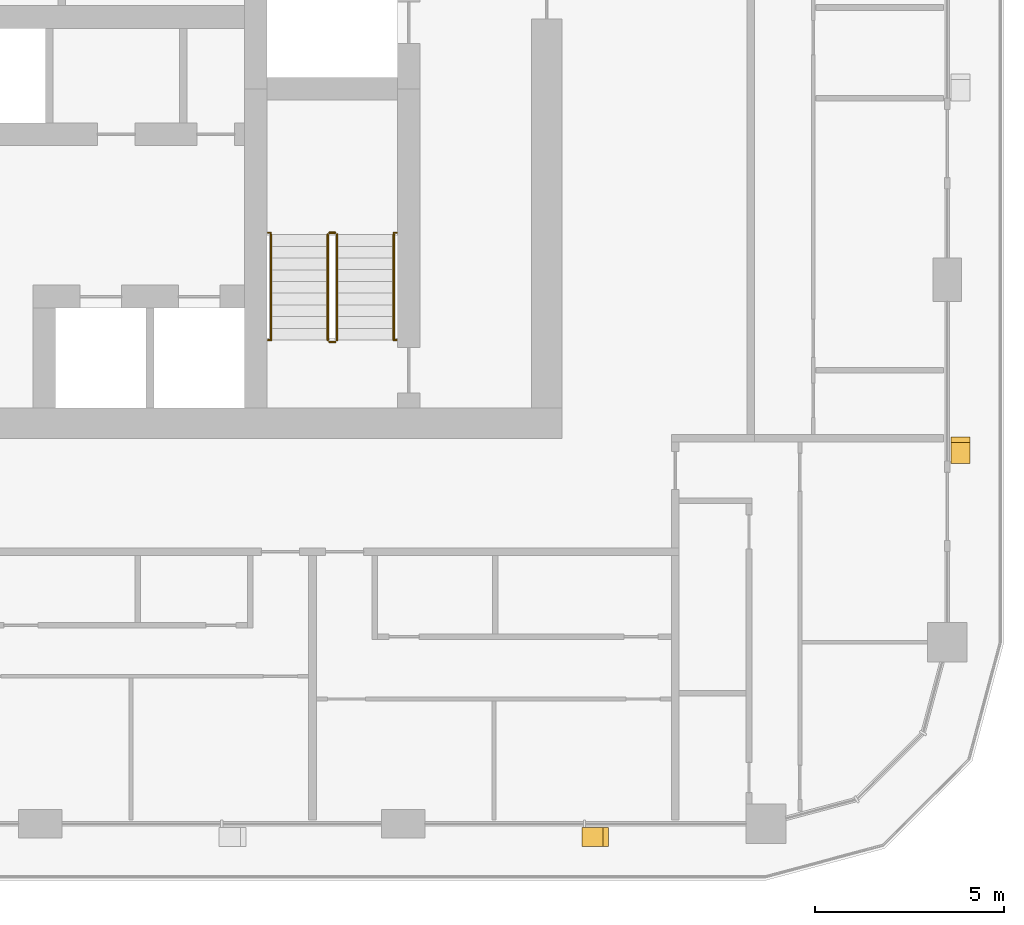
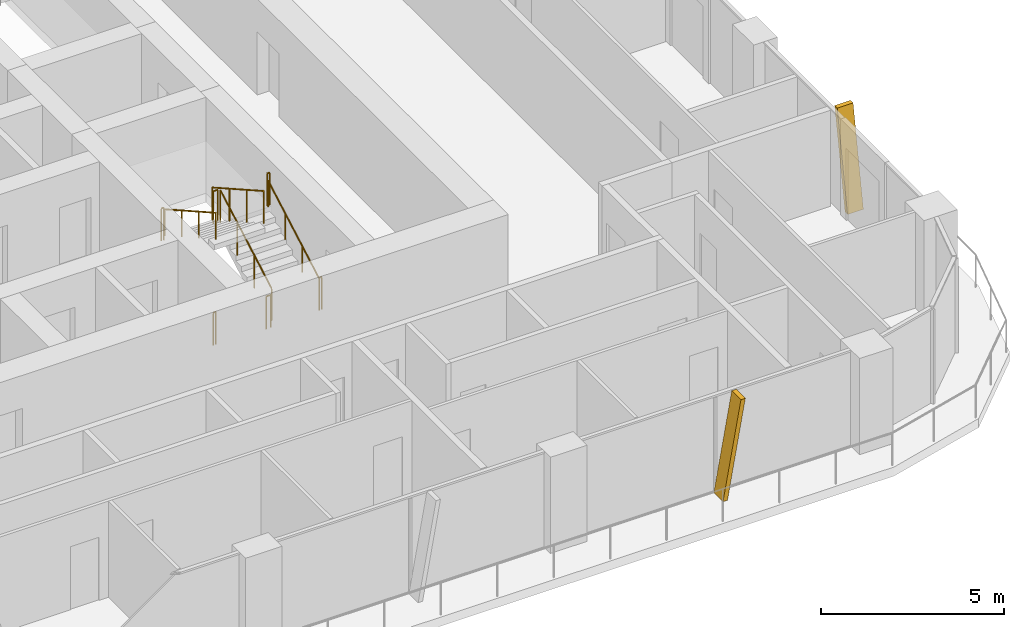
# One storey, part 19 of 22: 10 railings, 2 shading devices.
"""IFC4 building model written with IfcOpenShell, lengths in metres."""

from ifc_helpers import new_model, si_unit, direction, frame, origin, origin_2d, place, context, subcontext, project, spatial, polyline, circle, outline, extrude, material, type_object, element, save


model = new_model("IFC4")

# Units and contexts
model_context = context("Model", 3, precision=1e-05, world=origin(), true_north=direction((0.0, 1.0)))
body_context = subcontext(model_context, "Body", "Model", "MODEL_VIEW")
ifc_project = project(units=[si_unit("LENGTHUNIT", "METRE"), si_unit("AREAUNIT", "SQUARE_METRE"), si_unit("VOLUMEUNIT", "CUBIC_METRE"), si_unit("PLANEANGLEUNIT", "RADIAN"), si_unit("MASSUNIT", "GRAM", prefix="KILO")], contexts=[model_context])

# Site, building, storey
site_placement = place(None, origin())
site = spatial("IfcSite", under=ifc_project, at=site_placement, CompositionType="ELEMENT")
building_placement = place(site_placement, origin())
building = spatial("IfcBuilding", under=site, at=building_placement, Name="Madar Terraces", CompositionType="ELEMENT")
storey_placement = place(building_placement, frame((0.0, 0.0, 136.60009765625)))
storey = spatial("IfcBuildingStorey", under=building, at=storey_placement, Name="L35", CompositionType="ELEMENT", Elevation=136.60009765625)

# Shading devices
ifc_material_1 = material(Name="Aluminium, black anodised", Category="aluminium")
shading_device_type = type_object("IfcShadingDeviceType", Name="Facade fin blade 140 x 500", PredefinedType="USERDEFINED", material=ifc_material_1)
shading_device_1_placement = place(storey_placement, frame((47.929931640625, 4.449951171875, 0.0), z_axis=(0.0, 0.0, 1.0), x_axis=(1.0, 0.0, 0.0)))
element("IfcShadingDevice", 1, at=shading_device_1_placement, inside=storey, type_object=shading_device_type, Name="FIN L35 S5", ObjectType="FIN", PredefinedType="USERDEFINED", context=body_context, shape_type="SweptSolid", body=[
    extrude(outline(polyline([(0.0, 0.0), (0.14013671875, 0.0), (0.704345703125, 3.199951171875), (0.564208984375, 3.199951171875), (0.0, 0.0)])), frame((0.0, 0.25, 0.0), z_axis=(0.0, -1.0, 0.0), x_axis=(1.0, 0.0, 0.0)), (0.0, 0.0, 1.0), 0.5),
])
shading_device_2_placement = place(storey_placement, frame((57.949951171875, 14.330078125, 0.0), z_axis=(0.0, 0.0, 1.0), x_axis=(0.0, 1.0, 0.0)))
element("IfcShadingDevice", 2, at=shading_device_2_placement, inside=storey, type_object=shading_device_type, Name="FIN L35 E1", ObjectType="FIN", PredefinedType="USERDEFINED", context=body_context, shape_type="SweptSolid", body=[
    extrude(outline(polyline([(0.0, 0.0), (0.139892578125, 0.0), (0.704345703125, 3.199951171875), (0.564208984375, 3.199951171875), (0.0, 0.0)])), frame((0.0, 0.25, 0.0), z_axis=(0.0, -1.0, 0.0), x_axis=(1.0, 0.0, 0.0)), (0.0, 0.0, 1.0), 0.5),
])

# Railings
ifc_material_2 = material(Name="Stainless steel railing", Category="steel")
railing_type_1 = type_object("IfcRailingType", Name="Stair guard 1100", PredefinedType="GUARDRAIL", material=ifc_material_2)
railing_1_placement = place(storey_placement, frame((41.449951171875, 17.60009765625, 0.1748046875)))
element("IfcRailing", 3, at=railing_1_placement, inside=storey, type_object=railing_type_1, Name="L35 ST3 stair guard 1", PredefinedType="GUARDRAIL", context=body_context, shape_type="SweptSolid", body=[
    extrude(circle(Radius=0.02392578125, at=origin_2d()), frame((0.0, 0.0, 1.076171875), z_axis=(0.0, 0.870782738816, 0.491667999549), x_axis=(-1.0, 0.0, 0.0)), (0.0, 0.0, 1.0), 3.203857421875),
    extrude(circle(Radius=0.02099609375, at=origin_2d()), origin(), (0.0, 0.0, 1.0), 1.052001953125),
    extrude(circle(Radius=0.02099609375, at=origin_2d()), frame((0.0, 0.929931640625, 0.525146484375)), (0.0, 0.0, 1.0), 1.052001953125),
    extrude(circle(Radius=0.02099609375, at=origin_2d()), frame((0.0, 1.85986328125, 1.050048828125)), (0.0, 0.0, 1.0), 1.052001953125),
    extrude(circle(Radius=0.02099609375, at=origin_2d()), frame((0.0, 2.789794921875, 1.5751953125)), (0.0, 0.0, 1.0), 1.052001953125),
])
railing_2_placement = place(storey_placement, frame((41.39990234375, 20.43994140625, 1.75)))
element("IfcRailing", 4, at=railing_2_placement, inside=storey, type_object=railing_type_1, Name="L35 ST3 stair guard 2", PredefinedType="GUARDRAIL", context=body_context, shape_type="SweptSolid", body=[
    extrude(circle(Radius=0.02392578125, at=origin_2d()), frame((0.0, 0.0, 1.076171875), z_axis=(-1.0, 0.0, 0.0), x_axis=(0.0, -1.0, 0.0)), (0.0, 0.0, 1.0), 0.14990234375),
    extrude(circle(Radius=0.02099609375, at=origin_2d()), origin(), (0.0, 0.0, 1.0), 1.052001953125),
    extrude(circle(Radius=0.02099609375, at=origin_2d()), frame((-0.14990234375, 0.0, 0.0)), (0.0, 0.0, 1.0), 1.052001953125),
])
railing_3_placement = place(storey_placement, frame((41.199951171875, 20.389892578125, 1.9248046875)))
element("IfcRailing", 5, at=railing_3_placement, inside=storey, type_object=railing_type_1, Name="L35 ST3 stair guard 3", PredefinedType="GUARDRAIL", context=body_context, shape_type="SweptSolid", body=[
    extrude(circle(Radius=0.02392578125, at=origin_2d()), frame((0.0, 0.0, 1.076171875), z_axis=(0.0, -0.870782738816, 0.491667999549), x_axis=(1.0, 0.0, 0.0)), (0.0, 0.0, 1.0), 3.203857421875),
    extrude(circle(Radius=0.02099609375, at=origin_2d()), origin(), (0.0, 0.0, 1.0), 1.052001953125),
    extrude(circle(Radius=0.02099609375, at=origin_2d()), frame((0.0, -0.929931640625, 0.525146484375)), (0.0, 0.0, 1.0), 1.052001953125),
    extrude(circle(Radius=0.02099609375, at=origin_2d()), frame((0.0, -1.85986328125, 1.050048828125)), (0.0, 0.0, 1.0), 1.052001953125),
    extrude(circle(Radius=0.02099609375, at=origin_2d()), frame((0.0, -2.789794921875, 1.5751953125)), (0.0, 0.0, 1.0), 1.052001953125),
])
railing_4_placement = place(storey_placement, frame((41.39990234375, 17.550048828125, 0.0)))
element("IfcRailing", 6, at=railing_4_placement, inside=storey, type_object=railing_type_1, Name="L35 ST3 stair guard 4", PredefinedType="GUARDRAIL", context=body_context, shape_type="SweptSolid", body=[
    extrude(circle(Radius=0.02392578125, at=origin_2d()), frame((0.0, 0.0, 1.076171875), z_axis=(-1.0, 0.0, 0.0), x_axis=(0.0, -1.0, 0.0)), (0.0, 0.0, 1.0), 0.14990234375),
    extrude(circle(Radius=0.02099609375, at=origin_2d()), origin(), (0.0, 0.0, 1.0), 1.052001953125),
    extrude(circle(Radius=0.02099609375, at=origin_2d()), frame((-0.14990234375, 0.0, 0.0)), (0.0, 0.0, 1.0), 1.052001953125),
])
railing_5_placement = place(storey_placement, frame((39.6201171875, 20.43994140625, 1.75)))
element("IfcRailing", 7, at=railing_5_placement, inside=storey, type_object=railing_type_1, Name="L35 stair guard seat 1", PredefinedType="GUARDRAIL", context=body_context, shape_type="SweptSolid", body=[
    extrude(circle(Radius=0.02392578125, at=origin_2d()), frame((0.0, 0.0, 1.076171875), z_axis=(1.0, 0.0, 0.0), x_axis=(0.0, 1.0, 0.0)), (0.0, 0.0, 1.0), 0.079833984375),
    extrude(circle(Radius=0.02099609375, at=origin_2d()), origin(), (0.0, 0.0, 1.0), 1.052001953125),
    extrude(circle(Radius=0.02099609375, at=origin_2d()), frame((0.079833984375, 0.0, 0.0)), (0.0, 0.0, 1.0), 1.052001953125),
])
railing_6_placement = place(storey_placement, frame((42.949951171875, 20.43994140625, 1.75)))
element("IfcRailing", 8, at=railing_6_placement, inside=storey, type_object=railing_type_1, Name="L35 stair guard seat 2", PredefinedType="GUARDRAIL", context=body_context, shape_type="SweptSolid", body=[
    extrude(circle(Radius=0.02392578125, at=origin_2d()), frame((0.0, 0.0, 1.076171875), z_axis=(1.0, 0.0, 0.0), x_axis=(0.0, 1.0, 0.0)), (0.0, 0.0, 1.0), 0.080078125),
    extrude(circle(Radius=0.02099609375, at=origin_2d()), origin(), (0.0, 0.0, 1.0), 1.052001953125),
    extrude(circle(Radius=0.02099609375, at=origin_2d()), frame((0.080078125, 0.0, 0.0)), (0.0, 0.0, 1.0), 1.052001953125),
])
railing_7_placement = place(storey_placement, frame((39.6201171875, 17.60009765625, 0.0)))
element("IfcRailing", 9, at=railing_7_placement, inside=storey, type_object=railing_type_1, Name="L35 stair guard floor 1", PredefinedType="GUARDRAIL", context=body_context, shape_type="SweptSolid", body=[
    extrude(circle(Radius=0.02392578125, at=origin_2d()), frame((0.0, 0.0, 1.076171875), z_axis=(1.0, 0.0, 0.0), x_axis=(0.0, 1.0, 0.0)), (0.0, 0.0, 1.0), 0.079833984375),
    extrude(circle(Radius=0.02099609375, at=origin_2d()), origin(), (0.0, 0.0, 1.0), 1.052001953125),
    extrude(circle(Radius=0.02099609375, at=origin_2d()), frame((0.079833984375, 0.0, 0.0)), (0.0, 0.0, 1.0), 1.052001953125),
])
railing_8_placement = place(storey_placement, frame((42.949951171875, 17.60009765625, 0.0)))
element("IfcRailing", 10, at=railing_8_placement, inside=storey, type_object=railing_type_1, Name="L35 stair guard floor 2", PredefinedType="GUARDRAIL", context=body_context, shape_type="SweptSolid", body=[
    extrude(circle(Radius=0.02392578125, at=origin_2d()), frame((0.0, 0.0, 1.076171875), z_axis=(1.0, 0.0, 0.0), x_axis=(0.0, 1.0, 0.0)), (0.0, 0.0, 1.0), 0.080078125),
    extrude(circle(Radius=0.02099609375, at=origin_2d()), origin(), (0.0, 0.0, 1.0), 1.052001953125),
    extrude(circle(Radius=0.02099609375, at=origin_2d()), frame((0.080078125, 0.0, 0.0)), (0.0, 0.0, 1.0), 1.052001953125),
])
ifc_material_3 = material(Name="Stainless steel railing", Category="steel")
railing_type_2 = type_object("IfcRailingType", Name="Stair handrail 900", PredefinedType="HANDRAIL", material=ifc_material_3)
railing_9_placement = place(storey_placement, frame((42.949951171875, 17.60009765625, 0.1748046875)))
element("IfcRailing", 11, at=railing_9_placement, inside=storey, type_object=railing_type_2, Name="L35 ST3 stair handrail 1", PredefinedType="HANDRAIL", context=body_context, shape_type="SweptSolid", body=[
    extrude(circle(Radius=0.02392578125, at=origin_2d()), frame((0.0, 0.0, 0.8759765625), z_axis=(0.0, 0.870782738816, 0.491667999549), x_axis=(-1.0, 0.0, 0.0)), (0.0, 0.0, 1.0), 3.203857421875),
    extrude(circle(Radius=0.02099609375, at=origin_2d()), origin(), (0.0, 0.0, 1.0), 0.851806640625),
    extrude(circle(Radius=0.02099609375, at=origin_2d()), frame((0.0, 0.929931640625, 0.525146484375)), (0.0, 0.0, 1.0), 0.851806640625),
    extrude(circle(Radius=0.02099609375, at=origin_2d()), frame((0.0, 1.85986328125, 1.050048828125)), (0.0, 0.0, 1.0), 0.851806640625),
    extrude(circle(Radius=0.02099609375, at=origin_2d()), frame((0.0, 2.789794921875, 1.5751953125)), (0.0, 0.0, 1.0), 0.851806640625),
])
railing_10_placement = place(storey_placement, frame((39.699951171875, 20.389892578125, 1.9248046875)))
element("IfcRailing", 12, at=railing_10_placement, inside=storey, type_object=railing_type_2, Name="L35 ST3 stair handrail 2", PredefinedType="HANDRAIL", context=body_context, shape_type="SweptSolid", body=[
    extrude(circle(Radius=0.02392578125, at=origin_2d()), frame((0.0, 0.0, 0.8759765625), z_axis=(0.0, -0.870782738816, 0.491667999549), x_axis=(1.0, 0.0, 0.0)), (0.0, 0.0, 1.0), 3.203857421875),
    extrude(circle(Radius=0.02099609375, at=origin_2d()), origin(), (0.0, 0.0, 1.0), 0.851806640625),
    extrude(circle(Radius=0.02099609375, at=origin_2d()), frame((0.0, -0.929931640625, 0.525146484375)), (0.0, 0.0, 1.0), 0.851806640625),
    extrude(circle(Radius=0.02099609375, at=origin_2d()), frame((0.0, -1.85986328125, 1.050048828125)), (0.0, 0.0, 1.0), 0.851806640625),
    extrude(circle(Radius=0.02099609375, at=origin_2d()), frame((0.0, -2.789794921875, 1.5751953125)), (0.0, 0.0, 1.0), 0.851806640625),
])

save(model, "model.ifc")
